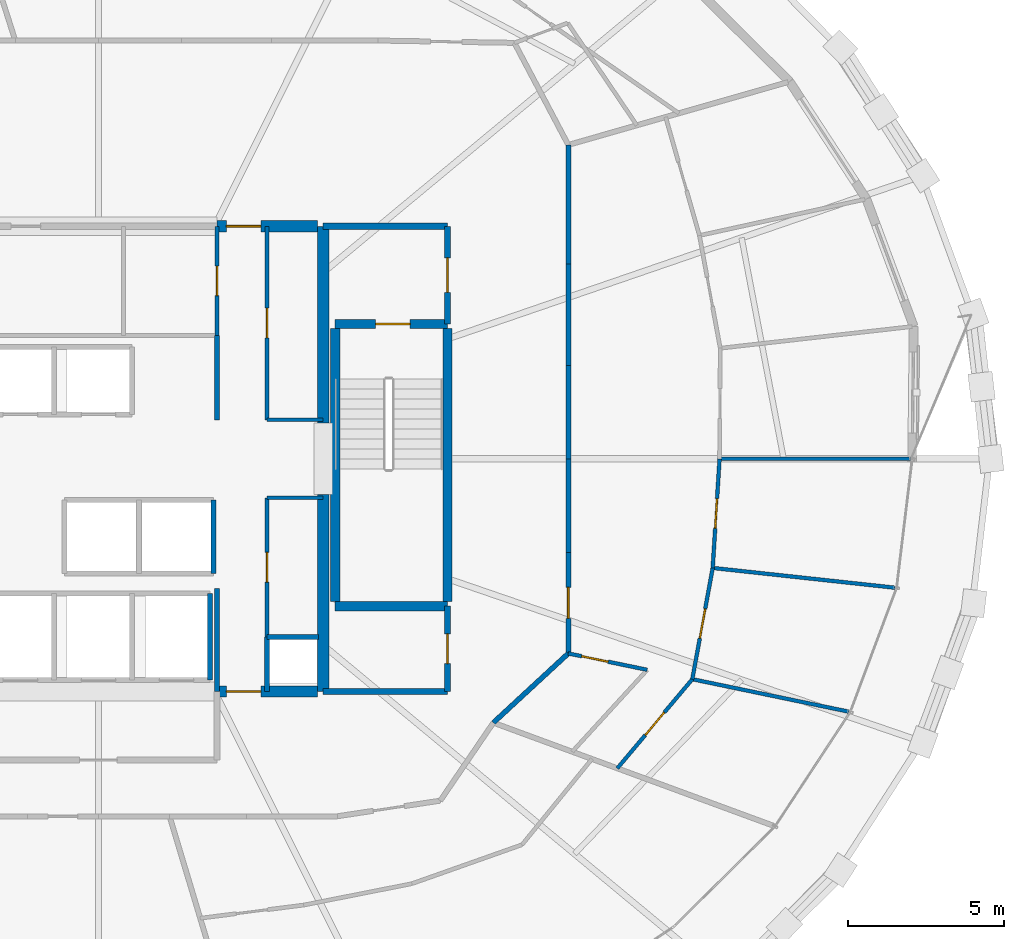
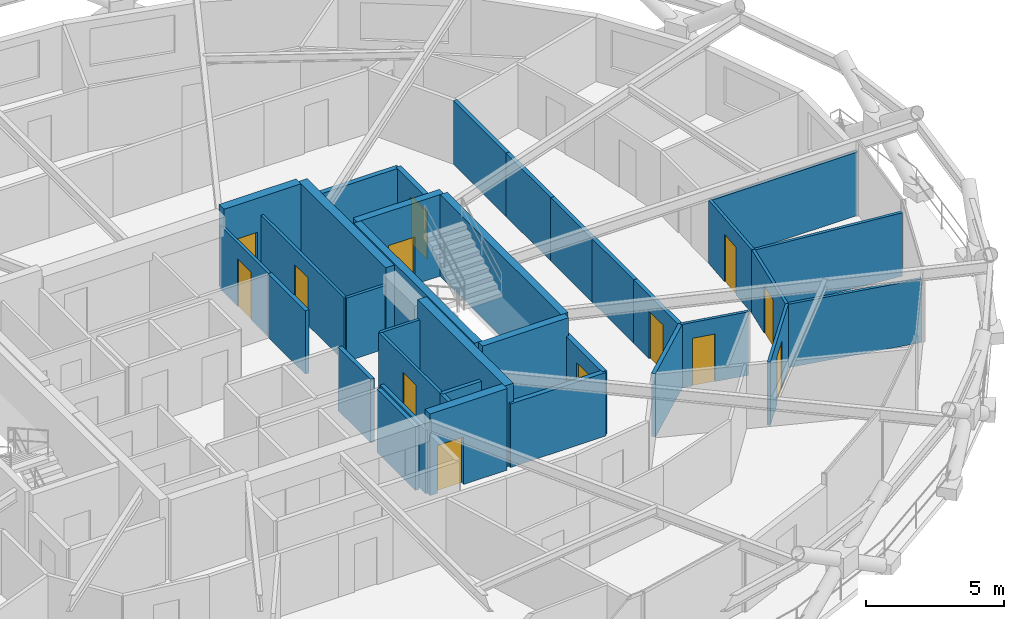
# One storey, part 16 of 21: 36 walls, 13 doors, 13 openings.
"""IFC4 building model written with IfcOpenShell, lengths in metres."""

import ifcopenshell
import ifcopenshell.guid

model = None  # the IFC model being written
_history = None  # IfcOwnerHistory: only IFC2X3 demands one
_inside = {}  # id of a spatial element -> (the spatial element, [elements in it])
_under = {}  # id of a project, library or spatial element -> (it, [spatial elements below it])
_declared = {}  # id of a project -> (the project, [libraries it declares])
_typed = {}  # id of a type object -> (the type object, [elements of that type])
_made_of = {}  # id of a material, layer set ... -> (it, [elements and type objects made of it])


def new_model(schema):
    """Start an empty IFC model of exactly this schema.

    Asked for "IFC4X3", IfcOpenShell would pick the latest addendum, in which some entities
    have other attributes; the version numbers below select the first issue.
    IFC2X3 requires an IfcOwnerHistory on every rooted entity: one is made here for all.
    """
    global model, _history
    if schema == "IFC4X3":
        model = ifcopenshell.file(schema_version=(4, 3, 0, 0))
    else:
        model = ifcopenshell.file(schema=schema)
    _inside.clear()
    _under.clear()
    _declared.clear()
    _typed.clear()
    _made_of.clear()
    _history = None
    if model.schema == "IFC2X3":
        org = make("IfcOrganization", Name="unknown")
        user = make(
            "IfcPersonAndOrganization",
            ThePerson=make("IfcPerson", FamilyName="unknown"),
            TheOrganization=org,
        )
        app = make(
            "IfcApplication",
            ApplicationDeveloper=org,
            Version="unknown",
            ApplicationFullName="unknown",
            ApplicationIdentifier="unknown",
        )
        _history = make(
            "IfcOwnerHistory",
            OwningUser=user,
            OwningApplication=app,
            ChangeAction="ADDED",
            CreationDate=0,
        )
    return model


def make(cls, **values):
    """One entity of the class cls with the attributes given. An attribute that is None is left unset."""
    return model.create_entity(
        cls, **{name: value for name, value in values.items() if value is not None}
    )


def rooted(cls, **values):
    """An entity with a GlobalId (a new one), such as an element, a storey or a relation."""
    return make(cls, GlobalId=ifcopenshell.guid.new(), OwnerHistory=_history, **values)


def si_unit(unit_type, name, prefix=None):
    """IfcSIUnit, for example si_unit("LENGTHUNIT", "METRE", prefix="MILLI")."""
    return make("IfcSIUnit", UnitType=unit_type, Prefix=prefix, Name=name)


def assignment(units):
    """IfcUnitAssignment: the units of a project."""
    return None if units is None else make("IfcUnitAssignment", Units=units)


def point(xyz):
    """IfcCartesianPoint."""
    return None if xyz is None else make("IfcCartesianPoint", Coordinates=xyz)


def direction(xyz):
    """IfcDirection."""
    return None if xyz is None else make("IfcDirection", DirectionRatios=xyz)


def frame(location, z_axis=None, x_axis=None):
    """IfcAxis2Placement3D, a coordinate frame: its origin and axes. An axis left out is left unset."""
    return make(
        "IfcAxis2Placement3D",
        Location=point(location),
        Axis=direction(z_axis),
        RefDirection=direction(x_axis),
    )


def frame_2d(location, x_axis=None):
    """IfcAxis2Placement2D, a coordinate frame in the plane: its origin and x axis."""
    return make(
        "IfcAxis2Placement2D", Location=point(location), RefDirection=direction(x_axis)
    )


def origin():
    """The frame at (0, 0, 0) with its axes left unset."""
    return frame((0.0, 0.0, 0.0))


def place(relative_to, where):
    """IfcLocalPlacement: puts the frame where relative to a parent placement (None: the world)."""
    return make(
        "IfcLocalPlacement", PlacementRelTo=relative_to, RelativePlacement=where
    )


def context(
    kind, dimensions, precision=None, world=None, true_north=None, identifier=None
):
    """IfcGeometricRepresentationContext, for example the 3D "Model" context."""
    return make(
        "IfcGeometricRepresentationContext",
        ContextIdentifier=identifier,
        ContextType=kind,
        CoordinateSpaceDimension=dimensions,
        Precision=precision,
        WorldCoordinateSystem=world,
        TrueNorth=true_north,
    )


def subcontext(parent, identifier, kind, view, scale=None):
    """IfcGeometricRepresentationSubContext, for example "Body" below "Model"."""
    return make(
        "IfcGeometricRepresentationSubContext",
        ContextIdentifier=identifier,
        ContextType=kind,
        ParentContext=parent,
        TargetScale=scale,
        TargetView=view,
    )


def project(units=None, contexts=None):
    """IfcProject with its units and contexts."""
    return rooted(
        "IfcProject",
        Name="project",
        RepresentationContexts=contexts,
        UnitsInContext=assignment(units),
    )


def spatial(cls, under=None, at=None, **own):
    """A site, building, storey or space (cls), placed at a placement, below another one or the project."""
    s = rooted(cls, ObjectPlacement=at, **own)
    if under is not None:
        _under.setdefault(under.id(), (under, []))[1].append(s)
    return s


def profile(cls, at=None, kind="AREA", **sizes):
    """A parametric profile (cls). Its sizes go by their IFC names, for example OverallWidth=200.0."""
    return make(cls, ProfileType=kind, Position=at, **sizes)


def rectangle(**sizes):
    """IfcRectangleProfileDef."""
    return profile("IfcRectangleProfileDef", **sizes)


def extrude(swept, where, along, depth):
    """IfcExtrudedAreaSolid: the profile swept, set in the frame where, extruded along a direction by depth."""
    return make(
        "IfcExtrudedAreaSolid",
        SweptArea=swept,
        Position=where,
        ExtrudedDirection=direction(along),
        Depth=depth,
    )


def shape(context_of_items, identifier, shape_type, items):
    """IfcShapeRepresentation: the items that make up one representation, for example the "Body"."""
    return make(
        "IfcShapeRepresentation",
        ContextOfItems=context_of_items,
        RepresentationIdentifier=identifier,
        RepresentationType=shape_type,
        Items=items,
    )


def material(Name=None, Category=None):
    """IfcMaterial."""
    return make("IfcMaterial", Name=Name, Category=Category)


def layer(
    of_material, thickness, ventilated=None, Name=None, Category=None, Priority=None
):
    """IfcMaterialLayer: one layer of a wall or slab, of a material (None: an air gap)."""
    return make(
        "IfcMaterialLayer",
        Material=of_material,
        LayerThickness=thickness,
        IsVentilated=ventilated,
        Name=Name,
        Category=Category,
        Priority=Priority,
    )


def layer_set(layers, Name=None):
    """IfcMaterialLayerSet."""
    return make("IfcMaterialLayerSet", MaterialLayers=layers, LayerSetName=Name)


def made_of(thing, what):
    """Note that an element or type object is made of a material, layer set ...; save() writes the relation."""
    if what is not None:
        _made_of.setdefault(what.id(), (what, []))[1].append(thing)
    return thing


def type_object(cls, material=None, **own):
    """A type object (cls), such as IfcWallType, which elements share."""
    return made_of(rooted(cls, **own), material)


def element(
    cls,
    number,
    at=None,
    inside=None,
    cuts=None,
    type_object=None,
    material=None,
    context=None,
    identifier="Body",
    shape_type=None,
    held_by="IfcProductDefinitionShape",
    body=None,
    shapes=None,
    **own,
):
    """One element of the class cls, such as IfcWall. Its Tag is "e" and its number.

    at: its placement. inside: the storey or other place that contains it. cuts: it is an
    opening in that element (IfcRelVoidsElement). A single representation is given by context,
    identifier, shape_type and body (its items); several are given by shapes. held_by: the class
    of the entity that holds the representations. save() writes the other relations.
    """
    e = rooted(cls, Tag="e%d" % number, ObjectPlacement=at, **own)
    if body is not None:
        shapes = [shape(context, identifier, shape_type, body)]
    if shapes is not None:
        e.Representation = make(held_by, Representations=shapes)
    if inside is not None:
        _inside.setdefault(inside.id(), (inside, []))[1].append(e)
    if cuts is not None:
        rooted(
            "IfcRelVoidsElement", RelatingBuildingElement=cuts, RelatedOpeningElement=e
        )
    if type_object is not None:
        _typed.setdefault(type_object.id(), (type_object, []))[1].append(e)
    return made_of(e, material)


def fill(opening, filler):
    """IfcRelFillsElement: the door or window that sits in an opening."""
    return rooted(
        "IfcRelFillsElement",
        RelatingOpeningElement=opening,
        RelatedBuildingElement=filler,
    )


def aggregate(whole, parts):
    """IfcRelAggregates: a whole, such as a stair, and the parts it consists of."""
    return rooted("IfcRelAggregates", RelatingObject=whole, RelatedObjects=parts)


def save(model, path):
    """Write the relations noted so far, then the file.

    IfcRelAggregates (storeys below a building ...), IfcRelContainedInSpatialStructure (elements
    in a storey), IfcRelDefinesByType, IfcRelAssociatesMaterial and IfcRelDeclares: one each for
    every whole, place, type object, material and project.
    """
    for whole, parts in _under.values():
        aggregate(whole, parts)
    for where, things in _inside.values():
        rooted(
            "IfcRelContainedInSpatialStructure",
            RelatedElements=things,
            RelatingStructure=where,
        )
    for kind, things in _typed.values():
        rooted("IfcRelDefinesByType", RelatedObjects=things, RelatingType=kind)
    for what, things in _made_of.values():
        rooted("IfcRelAssociatesMaterial", RelatedObjects=things, RelatingMaterial=what)
    for by, libraries in _declared.values():
        rooted("IfcRelDeclares", RelatingContext=by, RelatedDefinitions=libraries)
    model.write(path)


model = new_model("IFC4")

# Units and contexts
model_context = context("Model", 3, precision=1e-05, world=origin(), true_north=direction((0.0, 1.0)))
body_context = subcontext(model_context, "Body", "Model", "MODEL_VIEW")
ifc_project = project(units=[si_unit("LENGTHUNIT", "METRE"), si_unit("AREAUNIT", "SQUARE_METRE"), si_unit("VOLUMEUNIT", "CUBIC_METRE"), si_unit("PLANEANGLEUNIT", "RADIAN"), si_unit("MASSUNIT", "GRAM", prefix="KILO")], contexts=[model_context])

# Site, building, storey
site_placement = place(None, origin())
site = spatial("IfcSite", under=ifc_project, at=site_placement, CompositionType="ELEMENT")
building_placement = place(site_placement, origin())
building = spatial("IfcBuilding", under=site, at=building_placement, Name="Veldorina Hangang Commons", CompositionType="ELEMENT")
storey_placement = place(building_placement, frame((0.0, 0.0, 128.0)))
storey = spatial("IfcBuildingStorey", under=building, at=storey_placement, Name="L32", CompositionType="ELEMENT", Elevation=128.0)

# Walls
ifc_material_1 = material(Name="Concrete C60/75", Category="concrete")
ifc_layer_1 = layer(ifc_material_1, 0.360107421875)
ifc_layer_set_1 = layer_set([ifc_layer_1], Name="Concrete C60/75")
wall_type_1 = type_object("IfcWallType", Name="CW-RC360-C60", PredefinedType="SHEAR", material=ifc_layer_set_1)
for number, where, z_axis, x_axis, name in (
    (1, (39.199951171875, 16.550048828125, 0.0), (0.0, 0.0, 1.0), (0.0, 1.0, 0.0), "L32 E south core shear wall"),
    (2, (39.199951171875, 25.14990234375, 0.0), (0.0, 0.0, 1.0), (0.0, 1.0, 0.0), "L32 E north core shear wall"),
):
    element("IfcWall", number, at=place(storey_placement, frame(where, z_axis=z_axis, x_axis=x_axis)), inside=storey, type_object=wall_type_1, Name=name, PredefinedType="SHEAR", context=body_context, shape_type="SweptSolid", body=[
        extrude(rectangle(XDim=6.300048828125, YDim=0.360107421875, at=frame_2d((3.14990234375, 0.0))), origin(), (0.0, 0.0, 1.0), 3.60009765625),
    ])

# Wall, opening, door
wall_1_placement = place(storey_placement, frame((35.800048828125, 16.550048828125, 0.0), z_axis=(0.0, 0.0, 1.0), x_axis=(1.0, 0.0, 0.0)))
wall_1 = element("IfcWall", 3, at=wall_1_placement, inside=storey, type_object=wall_type_1, Name="L32 south-east core shear wall", PredefinedType="SHEAR", context=body_context, shape_type="SweptSolid", body=[
    extrude(rectangle(XDim=3.219970703125, YDim=0.360107421875, at=frame_2d((1.60986328125, 0.0))), origin(), (0.0, 0.0, 1.0), 3.60009765625),
])
opening_1_placement = place(wall_1_placement, frame((0.300048828125, 0.0, 0.0)))
opening_1 = element("IfcOpeningElement", 4, at=opening_1_placement, cuts=wall_1, Name="Opening D-08", PredefinedType="OPENING", context=body_context, shape_type="SweptSolid", body=[
    extrude(rectangle(XDim=1.10009765625, YDim=2.10009765625, at=frame_2d((0.550048828125, 1.050048828125))), frame((0.0, 0.18994140625, 0.0), z_axis=(0.0, -1.0, 0.0), x_axis=(1.0, 0.0, 0.0)), (0.0, 0.0, 1.0), 0.380126953125),
])
ifc_material_2 = material(Name="Steel Fire-Rated Smoke Seal", Category="steel")
door_type_1 = type_object("IfcDoorType", Name="DR-FIRE-1100", OperationType="SINGLE_SWING_RIGHT", PredefinedType="DOOR", material=ifc_material_2)
door_1_placement = place(opening_1_placement, origin())
door_1 = element("IfcDoor", 5, at=door_1_placement, inside=storey, type_object=door_type_1, Name="L32 central lift lobby south corridor door", OperationType="SINGLE_SWING_RIGHT", OverallHeight=2.10009765625, OverallWidth=1.10009765625, PredefinedType="DOOR", context=body_context, shape_type="SweptSolid", body=[
    extrude(rectangle(XDim=1.10009765625, YDim=2.10009765625, at=frame_2d((0.550048828125, 1.050048828125))), frame((0.0, 0.02490234375, 0.0), z_axis=(0.0, -1.0, 0.0), x_axis=(1.0, 0.0, 0.0)), (0.0, 0.0, 1.0), 0.050048828125),
])
fill(opening_1, door_1)

wall_2_placement = place(storey_placement, frame((35.800048828125, 31.449951171875, 0.0), z_axis=(0.0, 0.0, 1.0), x_axis=(1.0, 0.0, 0.0)))
wall_2 = element("IfcWall", 6, at=wall_2_placement, inside=storey, type_object=wall_type_1, Name="L32 north-east core shear wall", PredefinedType="SHEAR", context=body_context, shape_type="SweptSolid", body=[
    extrude(rectangle(XDim=3.219970703125, YDim=0.360107421875, at=frame_2d((1.60986328125, 0.0))), origin(), (0.0, 0.0, 1.0), 3.60009765625),
])
opening_2_placement = place(wall_2_placement, frame((0.300048828125, 0.0, 0.0)))
opening_2 = element("IfcOpeningElement", 7, at=opening_2_placement, cuts=wall_2, Name="Opening D-08", PredefinedType="OPENING", context=body_context, shape_type="SweptSolid", body=[
    extrude(rectangle(XDim=1.10009765625, YDim=2.10009765625, at=frame_2d((0.550048828125, 1.050048828125))), frame((0.0, 0.18994140625, 0.0), z_axis=(0.0, -1.0, 0.0), x_axis=(1.0, 0.0, 0.0)), (0.0, 0.0, 1.0), 0.380126953125),
])
door_2_placement = place(opening_2_placement, origin())
door_2 = element("IfcDoor", 8, at=door_2_placement, inside=storey, type_object=door_type_1, Name="L32 central lift lobby north corridor door", OperationType="SINGLE_SWING_LEFT", OverallHeight=2.10009765625, OverallWidth=1.10009765625, PredefinedType="DOOR", context=body_context, shape_type="SweptSolid", body=[
    extrude(rectangle(XDim=1.10009765625, YDim=2.10009765625, at=frame_2d((0.550048828125, 1.050048828125))), frame((0.0, 0.02490234375, 0.0), z_axis=(0.0, -1.0, 0.0), x_axis=(1.0, 0.0, 0.0)), (0.0, 0.0, 1.0), 0.050048828125),
])
fill(opening_2, door_2)

# Walls
ifc_material_3 = material(Name="Concrete C50/60", Category="concrete")
ifc_layer_2 = layer(ifc_material_3, 0.300048828125)
ifc_layer_set_2 = layer_set([ifc_layer_2], Name="Concrete C50/60")
wall_type_2 = type_object("IfcWallType", Name="SW-STAIR-300", PredefinedType="SHEAR", material=ifc_layer_set_2)
for number, where, z_axis, x_axis, name in (
    (9, (43.179931640625, 19.429931640625, 0.0), (0.0, 0.0, 1.0), (0.0, 1.0, 0.0), "L32 ST2 outer stair shear wall"),
    (10, (39.580078125, 19.429931640625, 0.0), (0.0, 0.0, 1.0), (0.0, 1.0, 0.0), "L32 ST2 inner stair shear wall"),
):
    element("IfcWall", number, at=place(storey_placement, frame(where, z_axis=z_axis, x_axis=x_axis)), inside=storey, type_object=wall_type_2, Name=name, PredefinedType="SHEAR", context=body_context, shape_type="SweptSolid", body=[
        extrude(rectangle(XDim=8.739990234375, YDim=0.300048828125, at=frame_2d((4.3701171875, 0.0))), origin(), (0.0, 0.0, 1.0), 3.60009765625),
    ])
wall_3_placement = place(storey_placement, frame((39.580078125, 19.280029296875, 0.0), z_axis=(0.0, 0.0, 1.0), x_axis=(1.0, 0.0, 0.0)))
element("IfcWall", 11, at=wall_3_placement, inside=storey, type_object=wall_type_2, Name="L32 ST2 south stair shear wall", PredefinedType="SHEAR", context=body_context, shape_type="SweptSolid", body=[
    extrude(rectangle(XDim=3.599853515625, YDim=0.300048828125, at=frame_2d((1.7998046875, 0.0))), origin(), (0.0, 0.0, 1.0), 3.60009765625),
])

# Wall, opening, door
wall_4_placement = place(storey_placement, frame((39.580078125, 28.320068359375, 0.0), z_axis=(0.0, 0.0, 1.0), x_axis=(1.0, 0.0, 0.0)))
wall_4 = element("IfcWall", 12, at=wall_4_placement, inside=storey, type_object=wall_type_2, Name="L32 ST2 north stair shear wall", PredefinedType="SHEAR", context=body_context, shape_type="SweptSolid", body=[
    extrude(rectangle(XDim=3.599853515625, YDim=0.300048828125, at=frame_2d((1.7998046875, 0.0))), origin(), (0.0, 0.0, 1.0), 3.60009765625),
])
opening_3_placement = place(wall_4_placement, frame((1.300048828125, 0.0, 0.0)))
opening_3 = element("IfcOpeningElement", 13, at=opening_3_placement, cuts=wall_4, Name="Opening D-08", PredefinedType="OPENING", context=body_context, shape_type="SweptSolid", body=[
    extrude(rectangle(XDim=1.10009765625, YDim=2.10009765625, at=frame_2d((0.550048828125, 1.050048828125))), frame((0.0, 0.16015625, 0.0), z_axis=(0.0, -1.0, 0.0), x_axis=(1.0, 0.0, 0.0)), (0.0, 0.0, 1.0), 0.320068359375),
])
door_3_placement = place(opening_3_placement, origin())
door_3 = element("IfcDoor", 14, at=door_3_placement, inside=storey, type_object=door_type_1, Name="L32 Special Escape Stair ST-2 door", OperationType="SINGLE_SWING_RIGHT", OverallHeight=2.10009765625, OverallWidth=1.10009765625, PredefinedType="DOOR", context=body_context, shape_type="SweptSolid", body=[
    extrude(rectangle(XDim=1.10009765625, YDim=2.10009765625, at=frame_2d((0.550048828125, 1.050048828125))), frame((0.0, 0.02490234375, 0.0), z_axis=(0.0, -1.0, 0.0), x_axis=(1.0, 0.0, 0.0)), (0.0, 0.0, 1.0), 0.050048828125),
])
fill(opening_3, door_3)

# Walls
ifc_material_4 = material(Name="Gypsum Fire-Rated Twin Stud Wall", Category="gypsum")
ifc_layer_3 = layer(ifc_material_4, 0.159912109375)
ifc_layer_set_3 = layer_set([ifc_layer_3], Name="Gypsum Fire-Rated Twin Stud Wall")
wall_type_3 = type_object("IfcWallType", Name="WL-FIRE-160", PredefinedType="SOLIDWALL", material=ifc_layer_set_3)
wall_5_placement = place(storey_placement, frame((35.800048828125, 16.550048828125, 0.0), z_axis=(0.0, 0.0, 1.0), x_axis=(0.0, 1.0, 0.0)))
element("IfcWall", 15, at=wall_5_placement, inside=storey, type_object=wall_type_3, Name="L32 Lift passage SW wall 009", PredefinedType="SOLIDWALL", context=body_context, shape_type="SweptSolid", body=[
    extrude(rectangle(XDim=3.300048828125, YDim=0.159912109375, at=frame_2d((1.64990234375, 0.0))), origin(), (0.0, 0.0, 1.0), 2.800048828125),
])
wall_6_placement = place(storey_placement, frame((37.39990234375, 16.550048828125, 0.0), z_axis=(0.0, 0.0, 1.0), x_axis=(0.0, 1.0, 0.0)))
element("IfcWall", 16, at=wall_6_placement, inside=storey, type_object=wall_type_3, Name="L32 Lift passage SE stub 010", PredefinedType="SOLIDWALL", context=body_context, shape_type="SweptSolid", body=[
    extrude(rectangle(XDim=1.75, YDim=0.159912109375, at=frame_2d((0.875, 0.0))), origin(), (0.0, 0.0, 1.0), 2.800048828125),
])
wall_7_placement = place(storey_placement, frame((35.800048828125, 25.25, 0.0), z_axis=(0.0, 0.0, 1.0), x_axis=(0.0, 1.0, 0.0)))
element("IfcWall", 17, at=wall_7_placement, inside=storey, type_object=wall_type_3, Name="L32 Lift passage NW lower wall 011", PredefinedType="SOLIDWALL", context=body_context, shape_type="SweptSolid", body=[
    extrude(rectangle(XDim=2.699951171875, YDim=0.159912109375, at=frame_2d((1.35009765625, 0.0))), origin(), (0.0, 0.0, 1.0), 2.800048828125),
])
wall_8_placement = place(storey_placement, frame((35.679931640625, 20.320068359375, 0.0), z_axis=(0.0, 0.0, 1.0), x_axis=(0.0, 1.0, 0.0)))
element("IfcWall", 18, at=wall_8_placement, inside=storey, type_object=wall_type_3, Name="L32 SL-2 east shaft wall 024", PredefinedType="SOLIDWALL", context=body_context, shape_type="SweptSolid", body=[
    extrude(rectangle(XDim=2.35986328125, YDim=0.159912109375, at=frame_2d((1.179931640625, 0.0))), origin(), (0.0, 0.0, 1.0), 2.800048828125),
])
wall_9_placement = place(storey_placement, frame((35.580078125, 16.919921875, 0.0), z_axis=(0.0, 0.0, 1.0), x_axis=(0.0, 1.0, 0.0)))
element("IfcWall", 19, at=wall_9_placement, inside=storey, type_object=wall_type_3, Name="L32 EVL-1 east shaft wall 030", PredefinedType="SOLIDWALL", context=body_context, shape_type="SweptSolid", body=[
    extrude(rectangle(XDim=2.760009765625, YDim=0.159912109375, at=frame_2d((1.3798828125, 0.0))), origin(), (0.0, 0.0, 1.0), 2.800048828125),
])
wall_10_placement = place(storey_placement, frame((37.39990234375, 18.300048828125, 0.0), z_axis=(0.0, 0.0, 1.0), x_axis=(1.0, 0.0, 0.0)))
element("IfcWall", 20, at=wall_10_placement, inside=storey, type_object=wall_type_3, Name="L32 Plumbing riser wall 037", PredefinedType="SOLIDWALL", context=body_context, shape_type="SweptSolid", body=[
    extrude(rectangle(XDim=1.650146484375, YDim=0.159912109375, at=frame_2d((0.8251953125, 0.0))), origin(), (0.0, 0.0, 1.0), 2.800048828125),
])
wall_11_placement = place(storey_placement, frame((47.050048828125, 24.0, 0.0), z_axis=(0.0, 0.0, 1.0), x_axis=(0.0, 1.0, 0.0)))
element("IfcWall", 21, at=wall_11_placement, inside=storey, type_object=wall_type_3, Name="L32 U-corridor outer wall 00 048", PredefinedType="SOLIDWALL", context=body_context, shape_type="SweptSolid", body=[
    extrude(rectangle(XDim=2.99365234375, YDim=0.159912109375, at=frame_2d((1.496826171875, 0.0))), origin(), (0.0, 0.0, 1.0), 2.800048828125),
])
wall_12_placement = place(storey_placement, frame((47.050048828125, 26.99365234375, 0.0), z_axis=(0.0, 0.0, 1.0), x_axis=(0.0, 1.0, 0.0)))
element("IfcWall", 22, at=wall_12_placement, inside=storey, type_object=wall_type_3, Name="L32 U-corridor outer wall 01 049", PredefinedType="SOLIDWALL", context=body_context, shape_type="SweptSolid", body=[
    extrude(rectangle(XDim=3.240234375, YDim=0.159912109375, at=frame_2d((1.6201171875, 0.0))), origin(), (0.0, 0.0, 1.0), 2.800048828125),
])
wall_13_placement = place(storey_placement, frame((47.050048828125, 30.23388671875, 0.0), z_axis=(0.0, 0.0, 1.0), x_axis=(0.0, 1.0, 0.0)))
element("IfcWall", 23, at=wall_13_placement, inside=storey, type_object=wall_type_3, Name="L32 U-corridor outer wall 02 050", PredefinedType="SOLIDWALL", context=body_context, shape_type="SweptSolid", body=[
    extrude(rectangle(XDim=3.822265625, YDim=0.159912109375, at=frame_2d((1.9111328125, 0.0))), origin(), (0.0, 0.0, 1.0), 2.800048828125),
])
wall_14_placement = place(storey_placement, frame((44.64990234375, 15.547607421875, 0.0), z_axis=(0.0, 0.0, 1.0), x_axis=(0.734347936521, 0.678773237633, 0.0)))
element("IfcWall", 24, at=wall_14_placement, inside=storey, type_object=wall_type_3, Name="L32 U-corridor outer wall 29 077", PredefinedType="SOLIDWALL", context=body_context, shape_type="SweptSolid", body=[
    extrude(rectangle(XDim=3.268310546875, YDim=0.159912109375, at=frame_2d((1.63427734375, 0.0))), origin(), (0.0, 0.0, 1.0), 2.800048828125),
])

# Wall, opening, door
wall_15_placement = place(storey_placement, frame((47.050048828125, 17.76611328125, 0.0), z_axis=(0.0, 0.0, 1.0), x_axis=(0.0, 1.0, 0.0)))
wall_15 = element("IfcWall", 25, at=wall_15_placement, inside=storey, type_object=wall_type_3, Name="L32 U-corridor outer wall 30 078", PredefinedType="SOLIDWALL", context=body_context, shape_type="SweptSolid", body=[
    extrude(rectangle(XDim=3.240234375, YDim=0.159912109375, at=frame_2d((1.6201171875, 0.0))), origin(), (0.0, 0.0, 1.0), 2.800048828125),
])
opening_4_placement = place(wall_15_placement, frame((1.1201171875, 0.0, 0.0)))
opening_4 = element("IfcOpeningElement", 26, at=opening_4_placement, cuts=wall_15, Name="Opening D-06", PredefinedType="OPENING", context=body_context, shape_type="SweptSolid", body=[
    extrude(rectangle(XDim=1.0, YDim=2.10009765625, at=frame_2d((0.5, 1.050048828125))), frame((0.0, 0.08984375, 0.0), z_axis=(0.0, -1.0, 0.0), x_axis=(1.0, 0.0, 0.0)), (0.0, 0.0, 1.0), 0.179931640625),
])
ifc_material_5 = material(Name="Timber Fire-Rated Entrance Core", Category="wood")
door_type_2 = type_object("IfcDoorType", Name="DR-UNIT-1000", OperationType="SINGLE_SWING_LEFT", PredefinedType="DOOR", material=ifc_material_5)
door_4_placement = place(opening_4_placement, origin())
door_4 = element("IfcDoor", 27, at=door_4_placement, inside=storey, type_object=door_type_2, Name="L32 Cluster 2 entrance door 023", OperationType="SINGLE_SWING_LEFT", OverallHeight=2.10009765625, OverallWidth=1.0, PredefinedType="DOOR", context=body_context, shape_type="SweptSolid", body=[
    extrude(rectangle(XDim=1.0, YDim=2.10009765625, at=frame_2d((0.5, 1.050048828125))), frame((0.0, 0.02490234375, 0.0), z_axis=(0.0, -1.0, 0.0), x_axis=(1.0, 0.0, 0.0)), (0.0, 0.0, 1.0), 0.050048828125),
])
fill(opening_4, door_4)

# Wall
wall_16_placement = place(storey_placement, frame((47.050048828125, 21.00634765625, 0.0), z_axis=(0.0, 0.0, 1.0), x_axis=(0.0, 1.0, 0.0)))
element("IfcWall", 28, at=wall_16_placement, inside=storey, type_object=wall_type_3, Name="L32 U-corridor outer wall 31 079", PredefinedType="SOLIDWALL", context=body_context, shape_type="SweptSolid", body=[
    extrude(rectangle(XDim=2.99365234375, YDim=0.159912109375, at=frame_2d((1.496826171875, 0.0))), origin(), (0.0, 0.0, 1.0), 2.800048828125),
])

# Wall, opening, door
ifc_material_6 = material(Name="Concrete Blockwork Fire Wall C30/37", Category="masonry")
ifc_layer_4 = layer(ifc_material_6, 0.199951171875)
ifc_layer_set_4 = layer_set([ifc_layer_4], Name="Concrete Blockwork Fire Wall C30/37")
wall_type_4 = type_object("IfcWallType", Name="WL-FIRE-200", PredefinedType="SOLIDWALL", material=ifc_layer_set_4)
wall_17_placement = place(storey_placement, frame((43.179931640625, 28.320068359375, 0.0), z_axis=(0.0, 0.0, 1.0), x_axis=(0.0, 1.0, 0.0)))
wall_17 = element("IfcWall", 29, at=wall_17_placement, inside=storey, type_object=wall_type_4, Name="L32 East vestibule outer wall 003", PredefinedType="SOLIDWALL", context=body_context, shape_type="SweptSolid", body=[
    extrude(rectangle(XDim=3.1298828125, YDim=0.199951171875, at=frame_2d((1.56494140625, 0.0))), origin(), (0.0, 0.0, 1.0), 2.800048828125),
])
opening_5_placement = place(wall_17_placement, frame((1.014892578125, 0.0, 0.0)))
opening_5 = element("IfcOpeningElement", 30, at=opening_5_placement, cuts=wall_17, Name="Opening D-08", PredefinedType="OPENING", context=body_context, shape_type="SweptSolid", body=[
    extrude(rectangle(XDim=1.10009765625, YDim=2.10009765625, at=frame_2d((0.550048828125, 1.050048828125))), frame((0.0, 0.10986328125, 0.0), z_axis=(0.0, -1.0, 0.0), x_axis=(1.0, 0.0, 0.0)), (0.0, 0.0, 1.0), 0.219970703125),
])
door_5_placement = place(opening_5_placement, origin())
door_5 = element("IfcDoor", 31, at=door_5_placement, inside=storey, type_object=door_type_1, Name="L32 East vestibule east door 002", OperationType="SINGLE_SWING_RIGHT", OverallHeight=2.10009765625, OverallWidth=1.10009765625, PredefinedType="DOOR", context=body_context, shape_type="SweptSolid", body=[
    extrude(rectangle(XDim=1.10009765625, YDim=2.10009765625, at=frame_2d((0.550048828125, 1.050048828125))), frame((0.0, 0.02490234375, 0.0), z_axis=(0.0, -1.0, 0.0), x_axis=(1.0, 0.0, 0.0)), (0.0, 0.0, 1.0), 0.050048828125),
])
fill(opening_5, door_5)

# Wall
wall_18_placement = place(storey_placement, frame((39.199951171875, 31.449951171875, 0.0), z_axis=(0.0, 0.0, 1.0), x_axis=(1.0, 0.0, 0.0)))
element("IfcWall", 32, at=wall_18_placement, inside=storey, type_object=wall_type_4, Name="L32 East vestibule north wall 004", PredefinedType="SOLIDWALL", context=body_context, shape_type="SweptSolid", body=[
    extrude(rectangle(XDim=3.97998046875, YDim=0.199951171875, at=frame_2d((1.989990234375, 0.0))), origin(), (0.0, 0.0, 1.0), 2.800048828125),
])

# Wall, opening, door
wall_19_placement = place(storey_placement, frame((43.179931640625, 16.550048828125, 0.0), z_axis=(0.0, 0.0, 1.0), x_axis=(0.0, 1.0, 0.0)))
wall_19 = element("IfcWall", 33, at=wall_19_placement, inside=storey, type_object=wall_type_4, Name="L32 SE core room outer wall 007", PredefinedType="SOLIDWALL", context=body_context, shape_type="SweptSolid", body=[
    extrude(rectangle(XDim=2.72998046875, YDim=0.199951171875, at=frame_2d((1.364990234375, 0.0))), origin(), (0.0, 0.0, 1.0), 2.800048828125),
])
opening_6_placement = place(wall_19_placement, frame((0.889892578125, 0.0, 0.0)))
opening_6 = element("IfcOpeningElement", 34, at=opening_6_placement, cuts=wall_19, Name="Opening D-02", PredefinedType="OPENING", context=body_context, shape_type="SweptSolid", body=[
    extrude(rectangle(XDim=0.949951171875, YDim=2.10009765625, at=frame_2d((0.47509765625, 1.050048828125))), frame((0.0, 0.10986328125, 0.0), z_axis=(0.0, -1.0, 0.0), x_axis=(1.0, 0.0, 0.0)), (0.0, 0.0, 1.0), 0.219970703125),
])
ifc_material_7 = material(Name="Timber Solid Core Acoustic", Category="wood")
door_type_3 = type_object("IfcDoorType", Name="DR-INT-950", OperationType="SINGLE_SWING_LEFT", PredefinedType="DOOR", material=ifc_material_7)
door_6_placement = place(opening_6_placement, origin())
door_6 = element("IfcDoor", 35, at=door_6_placement, inside=storey, type_object=door_type_3, Name="L32 SE core WC door 004", OperationType="SINGLE_SWING_RIGHT", OverallHeight=2.10009765625, OverallWidth=0.949951171875, PredefinedType="DOOR", context=body_context, shape_type="SweptSolid", body=[
    extrude(rectangle(XDim=0.949951171875, YDim=2.10009765625, at=frame_2d((0.47509765625, 1.050048828125))), frame((0.0, 0.02490234375, 0.0), z_axis=(0.0, -1.0, 0.0), x_axis=(1.0, 0.0, 0.0)), (0.0, 0.0, 1.0), 0.050048828125),
])
fill(opening_6, door_6)

# Wall
wall_20_placement = place(storey_placement, frame((39.199951171875, 16.550048828125, 0.0), z_axis=(0.0, 0.0, 1.0), x_axis=(1.0, 0.0, 0.0)))
element("IfcWall", 36, at=wall_20_placement, inside=storey, type_object=wall_type_4, Name="L32 SE core room south wall 008", PredefinedType="SOLIDWALL", context=body_context, shape_type="SweptSolid", body=[
    extrude(rectangle(XDim=3.97998046875, YDim=0.199951171875, at=frame_2d((1.989990234375, 0.0))), origin(), (0.0, 0.0, 1.0), 2.800048828125),
])

# Wall, opening, door
ifc_material_8 = material(Name="Gypsum Acoustic Stud Partition", Category="gypsum")
ifc_layer_5 = layer(ifc_material_8, 0.1201171875)
ifc_layer_set_5 = layer_set([ifc_layer_5], Name="Gypsum Acoustic Stud Partition")
wall_type_5 = type_object("IfcWallType", Name="WL-PART-120", PredefinedType="PARTITIONING", material=ifc_layer_set_5)
wall_21_placement = place(storey_placement, frame((35.800048828125, 27.949951171875, 0.0), z_axis=(0.0, 0.0, 1.0), x_axis=(0.0, 1.0, 0.0)))
wall_21 = element("IfcWall", 37, at=wall_21_placement, inside=storey, type_object=wall_type_5, Name="L32 Merged north east wall 033", PredefinedType="PARTITIONING", context=body_context, shape_type="SweptSolid", body=[
    extrude(rectangle(XDim=3.5, YDim=0.1201171875, at=frame_2d((1.75, 0.0))), origin(), (0.0, 0.0, 1.0), 2.800048828125),
])
opening_7_placement = place(wall_21_placement, frame((1.27490234375, 0.0, 0.0)))
opening_7 = element("IfcOpeningElement", 38, at=opening_7_placement, cuts=wall_21, Name="Opening D-02", PredefinedType="OPENING", context=body_context, shape_type="SweptSolid", body=[
    extrude(rectangle(XDim=0.949951171875, YDim=2.10009765625, at=frame_2d((0.47509765625, 1.050048828125))), frame((0.0, 0.070068359375, 0.0), z_axis=(0.0, -1.0, 0.0), x_axis=(1.0, 0.0, 0.0)), (0.0, 0.0, 1.0), 0.14013671875),
])
door_7_placement = place(opening_7_placement, origin())
door_7 = element("IfcDoor", 39, at=door_7_placement, inside=storey, type_object=door_type_3, Name="L32 Core linen store door 012", OperationType="SINGLE_SWING_RIGHT", OverallHeight=2.10009765625, OverallWidth=0.949951171875, PredefinedType="DOOR", context=body_context, shape_type="SweptSolid", body=[
    extrude(rectangle(XDim=0.949951171875, YDim=2.10009765625, at=frame_2d((0.47509765625, 1.050048828125))), frame((0.0, 0.02490234375, 0.0), z_axis=(0.0, -1.0, 0.0), x_axis=(1.0, 0.0, 0.0)), (0.0, 0.0, 1.0), 0.050048828125),
])
fill(opening_7, door_7)

wall_22_placement = place(storey_placement, frame((37.39990234375, 25.25, 0.0), z_axis=(0.0, 0.0, 1.0), x_axis=(0.0, 1.0, 0.0)))
wall_22 = element("IfcWall", 40, at=wall_22_placement, inside=storey, type_object=wall_type_5, Name="L32 NE strip lobby wall 041", PredefinedType="PARTITIONING", context=body_context, shape_type="SweptSolid", body=[
    extrude(rectangle(XDim=6.199951171875, YDim=0.1201171875, at=frame_2d((3.10009765625, 0.0))), origin(), (0.0, 0.0, 1.0), 2.800048828125),
])
opening_8_placement = place(wall_22_placement, frame((2.625, 0.0, 0.0)))
opening_8 = element("IfcOpeningElement", 41, at=opening_8_placement, cuts=wall_22, Name="Opening D-02", PredefinedType="OPENING", context=body_context, shape_type="SweptSolid", body=[
    extrude(rectangle(XDim=0.949951171875, YDim=2.10009765625, at=frame_2d((0.47509765625, 1.050048828125))), frame((0.0, 0.070068359375, 0.0), z_axis=(0.0, -1.0, 0.0), x_axis=(1.0, 0.0, 0.0)), (0.0, 0.0, 1.0), 0.14013671875),
])
door_8_placement = place(opening_8_placement, origin())
door_8 = element("IfcDoor", 42, at=door_8_placement, inside=storey, type_object=door_type_3, Name="L32 Switchboard door 018", OperationType="SINGLE_SWING_RIGHT", OverallHeight=2.10009765625, OverallWidth=0.949951171875, PredefinedType="DOOR", context=body_context, shape_type="SweptSolid", body=[
    extrude(rectangle(XDim=0.949951171875, YDim=2.10009765625, at=frame_2d((0.47509765625, 1.050048828125))), frame((0.0, 0.02490234375, 0.0), z_axis=(0.0, -1.0, 0.0), x_axis=(1.0, 0.0, 0.0)), (0.0, 0.0, 1.0), 0.050048828125),
])
fill(opening_8, door_8)

# Wall
wall_23_placement = place(storey_placement, frame((37.39990234375, 25.25, 0.0), z_axis=(0.0, 0.0, 1.0), x_axis=(1.0, 0.0, 0.0)))
element("IfcWall", 43, at=wall_23_placement, inside=storey, type_object=wall_type_5, Name="L32 NE strip south return wall 042", PredefinedType="PARTITIONING", context=body_context, shape_type="SweptSolid", body=[
    extrude(rectangle(XDim=1.800048828125, YDim=0.1201171875, at=frame_2d((0.89990234375, 0.0))), origin(), (0.0, 0.0, 1.0), 2.800048828125),
])

# Wall, opening, door
wall_24_placement = place(storey_placement, frame((37.39990234375, 18.300048828125, 0.0), z_axis=(0.0, 0.0, 1.0), x_axis=(0.0, 1.0, 0.0)))
wall_24 = element("IfcWall", 44, at=wall_24_placement, inside=storey, type_object=wall_type_5, Name="L32 SE strip lobby wall 043", PredefinedType="PARTITIONING", context=body_context, shape_type="SweptSolid", body=[
    extrude(rectangle(XDim=4.449951171875, YDim=0.1201171875, at=frame_2d((2.22509765625, 0.0))), origin(), (0.0, 0.0, 1.0), 2.800048828125),
])
opening_9_placement = place(wall_24_placement, frame((1.75, 0.0, 0.0)))
opening_9 = element("IfcOpeningElement", 45, at=opening_9_placement, cuts=wall_24, Name="Opening D-02", PredefinedType="OPENING", context=body_context, shape_type="SweptSolid", body=[
    extrude(rectangle(XDim=0.949951171875, YDim=2.10009765625, at=frame_2d((0.47509765625, 1.050048828125))), frame((0.0, 0.070068359375, 0.0), z_axis=(0.0, -1.0, 0.0), x_axis=(1.0, 0.0, 0.0)), (0.0, 0.0, 1.0), 0.14013671875),
])
door_9_placement = place(opening_9_placement, origin())
door_9 = element("IfcDoor", 46, at=door_9_placement, inside=storey, type_object=door_type_3, Name="L32 Telemetry door 019", OperationType="SINGLE_SWING_LEFT", OverallHeight=2.10009765625, OverallWidth=0.949951171875, PredefinedType="DOOR", context=body_context, shape_type="SweptSolid", body=[
    extrude(rectangle(XDim=0.949951171875, YDim=2.10009765625, at=frame_2d((0.47509765625, 1.050048828125))), frame((0.0, 0.02490234375, 0.0), z_axis=(0.0, -1.0, 0.0), x_axis=(1.0, 0.0, 0.0)), (0.0, 0.0, 1.0), 0.050048828125),
])
fill(opening_9, door_9)

# Wall
wall_25_placement = place(storey_placement, frame((37.39990234375, 22.75, 0.0), z_axis=(0.0, 0.0, 1.0), x_axis=(1.0, 0.0, 0.0)))
element("IfcWall", 47, at=wall_25_placement, inside=storey, type_object=wall_type_5, Name="L32 SE strip north return wall 044", PredefinedType="PARTITIONING", context=body_context, shape_type="SweptSolid", body=[
    extrude(rectangle(XDim=1.800048828125, YDim=0.1201171875, at=frame_2d((0.89990234375, 0.0))), origin(), (0.0, 0.0, 1.0), 2.800048828125),
])

# Wall, opening, door
wall_26_placement = place(storey_placement, frame((47.050048828125, 17.76611328125, 0.0), z_axis=(0.0, 0.0, 1.0), x_axis=(0.979129578615, -0.203236975673, 0.0)))
wall_26 = element("IfcWall", 48, at=wall_26_placement, inside=storey, type_object=wall_type_5, Name="L32 Cluster 2 bath side wall 087", PredefinedType="PARTITIONING", context=body_context, shape_type="SweptSolid", body=[
    extrude(rectangle(XDim=2.582763671875, YDim=0.1201171875, at=frame_2d((1.29150390625, 0.0))), origin(), (0.0, 0.0, 1.0), 2.800048828125),
])
opening_10_placement = place(wall_26_placement, frame((0.43994140625, 0.0, 0.0)))
opening_10 = element("IfcOpeningElement", 49, at=opening_10_placement, cuts=wall_26, Name="Opening D-01", PredefinedType="OPENING", context=body_context, shape_type="SweptSolid", body=[
    extrude(rectangle(XDim=0.860107421875, YDim=2.10009765625, at=frame_2d((0.43017578125, 1.050048828125))), frame((0.0, 0.070068359375, 0.0), z_axis=(0.0, -1.0, 0.0), x_axis=(1.0, 0.0, 0.0)), (0.0, 0.0, 1.0), 0.14013671875),
])
ifc_material_9 = material(Name="Timber Moisture-Resistant Core", Category="wood")
door_type_4 = type_object("IfcDoorType", Name="DR-WET-860", OperationType="SINGLE_SWING_LEFT", PredefinedType="DOOR", material=ifc_material_9)
door_10_placement = place(opening_10_placement, origin())
door_10 = element("IfcDoor", 50, at=door_10_placement, inside=storey, type_object=door_type_4, Name="L32 Cluster 2 shared bathroom door 022", OperationType="SINGLE_SWING_RIGHT", OverallHeight=2.10009765625, OverallWidth=0.860107421875, PredefinedType="DOOR", context=body_context, shape_type="SweptSolid", body=[
    extrude(rectangle(XDim=0.860107421875, YDim=2.10009765625, at=frame_2d((0.43017578125, 1.050048828125))), frame((0.0, 0.02490234375, 0.0), z_axis=(0.0, -1.0, 0.0), x_axis=(1.0, 0.0, 0.0)), (0.0, 0.0, 1.0), 0.050048828125),
])
fill(opening_10, door_10)

wall_27_placement = place(storey_placement, frame((48.6201171875, 14.086669921875, 0.0), z_axis=(0.0, 0.0, 1.0), x_axis=(0.644101495502, 0.764940039148, 0.0)))
wall_27 = element("IfcWall", 51, at=wall_27_placement, inside=storey, type_object=wall_type_5, Name="L32 Cluster 2 bed 1 front wall 088", PredefinedType="PARTITIONING", context=body_context, shape_type="SweptSolid", body=[
    extrude(rectangle(XDim=3.731689453125, YDim=0.1201171875, at=frame_2d((1.86572265625, 0.0))), origin(), (0.0, 0.0, 1.0), 2.800048828125),
])
opening_11_placement = place(wall_27_placement, frame((1.390869140625, 0.0, 0.0)))
opening_11 = element("IfcOpeningElement", 52, at=opening_11_placement, cuts=wall_27, Name="Opening D-02", PredefinedType="OPENING", context=body_context, shape_type="SweptSolid", body=[
    extrude(rectangle(XDim=0.949951171875, YDim=2.10009765625, at=frame_2d((0.47509765625, 1.050048828125))), frame((0.0, 0.070068359375, 0.0), z_axis=(0.0, -1.0, 0.0), x_axis=(1.0, 0.0, 0.0)), (0.0, 0.0, 1.0), 0.14013671875),
])
door_11_placement = place(opening_11_placement, origin())
door_11 = element("IfcDoor", 53, at=door_11_placement, inside=storey, type_object=door_type_3, Name="L32 Cluster 2 bed 1 door 024", OperationType="SINGLE_SWING_RIGHT", OverallHeight=2.10009765625, OverallWidth=0.949951171875, PredefinedType="DOOR", context=body_context, shape_type="SweptSolid", body=[
    extrude(rectangle(XDim=0.949951171875, YDim=2.10009765625, at=frame_2d((0.47509765625, 1.050048828125))), frame((0.0, 0.02490234375, 0.0), z_axis=(0.0, -1.0, 0.0), x_axis=(1.0, 0.0, 0.0)), (0.0, 0.0, 1.0), 0.050048828125),
])
fill(opening_11, door_11)

wall_28_placement = place(storey_placement, frame((51.023681640625, 16.941162109375, 0.0), z_axis=(0.0, 0.0, 1.0), x_axis=(0.180201816071, 0.983629658705, 0.0)))
wall_28 = element("IfcWall", 54, at=wall_28_placement, inside=storey, type_object=wall_type_5, Name="L32 Cluster 2 bed 2 front wall 089", PredefinedType="PARTITIONING", context=body_context, shape_type="SweptSolid", body=[
    extrude(rectangle(XDim=3.622802734375, YDim=0.1201171875, at=frame_2d((1.8115234375, 0.0))), origin(), (0.0, 0.0, 1.0), 2.800048828125),
])
opening_12_placement = place(wall_28_placement, frame((1.33642578125, 0.0, 0.0)))
opening_12 = element("IfcOpeningElement", 55, at=opening_12_placement, cuts=wall_28, Name="Opening D-02", PredefinedType="OPENING", context=body_context, shape_type="SweptSolid", body=[
    extrude(rectangle(XDim=0.949951171875, YDim=2.10009765625, at=frame_2d((0.47509765625, 1.050048828125))), frame((0.0, 0.070068359375, 0.0), z_axis=(0.0, -1.0, 0.0), x_axis=(1.0, 0.0, 0.0)), (0.0, 0.0, 1.0), 0.14013671875),
])
door_12_placement = place(opening_12_placement, origin())
door_12 = element("IfcDoor", 56, at=door_12_placement, inside=storey, type_object=door_type_3, Name="L32 Cluster 2 bed 2 door 025", OperationType="SINGLE_SWING_LEFT", OverallHeight=2.10009765625, OverallWidth=0.949951171875, PredefinedType="DOOR", context=body_context, shape_type="SweptSolid", body=[
    extrude(rectangle(XDim=0.949951171875, YDim=2.10009765625, at=frame_2d((0.47509765625, 1.050048828125))), frame((0.0, 0.02490234375, 0.0), z_axis=(0.0, -1.0, 0.0), x_axis=(1.0, 0.0, 0.0)), (0.0, 0.0, 1.0), 0.050048828125),
])
fill(opening_12, door_12)

# Wall
wall_29_placement = place(storey_placement, frame((51.023681640625, 16.941162109375, 0.0), z_axis=(0.0, 0.0, 1.0), x_axis=(0.979115199633, -0.203306236617, 0.0)))
element("IfcWall", 57, at=wall_29_placement, inside=storey, type_object=wall_type_5, Name="L32 Cluster 2 bed divider 1 090", PredefinedType="PARTITIONING", context=body_context, shape_type="SweptSolid", body=[
    extrude(rectangle(XDim=5.11572265625, YDim=0.1201171875, at=frame_2d((2.557861328125, 0.0))), origin(), (0.0, 0.0, 1.0), 2.800048828125),
])

# Wall, opening, door
wall_30_placement = place(storey_placement, frame((51.676513671875, 20.504638671875, 0.0), z_axis=(0.0, 0.0, 1.0), x_axis=(0.062877361001, 0.998021261033, 0.0)))
wall_30 = element("IfcWall", 58, at=wall_30_placement, inside=storey, type_object=wall_type_5, Name="L32 Cluster 2 bed 3 front wall 091", PredefinedType="PARTITIONING", context=body_context, shape_type="SweptSolid", body=[
    extrude(rectangle(XDim=3.502197265625, YDim=0.1201171875, at=frame_2d((1.7509765625, 0.0))), origin(), (0.0, 0.0, 1.0), 2.800048828125),
])
opening_13_placement = place(wall_30_placement, frame((1.276123046875, 0.0, 0.0)))
opening_13 = element("IfcOpeningElement", 59, at=opening_13_placement, cuts=wall_30, Name="Opening D-02", PredefinedType="OPENING", context=body_context, shape_type="SweptSolid", body=[
    extrude(rectangle(XDim=0.949951171875, YDim=2.10009765625, at=frame_2d((0.47509765625, 1.050048828125))), frame((0.0, 0.070068359375, 0.0), z_axis=(0.0, -1.0, 0.0), x_axis=(1.0, 0.0, 0.0)), (0.0, 0.0, 1.0), 0.14013671875),
])
door_13_placement = place(opening_13_placement, origin())
door_13 = element("IfcDoor", 60, at=door_13_placement, inside=storey, type_object=door_type_3, Name="L32 Cluster 2 bed 3 door 026", OperationType="SINGLE_SWING_RIGHT", OverallHeight=2.10009765625, OverallWidth=0.949951171875, PredefinedType="DOOR", context=body_context, shape_type="SweptSolid", body=[
    extrude(rectangle(XDim=0.949951171875, YDim=2.10009765625, at=frame_2d((0.47509765625, 1.050048828125))), frame((0.0, 0.02490234375, 0.0), z_axis=(0.0, -1.0, 0.0), x_axis=(1.0, 0.0, 0.0)), (0.0, 0.0, 1.0), 0.050048828125),
])
fill(opening_13, door_13)

# Walls
wall_31_placement = place(storey_placement, frame((51.676513671875, 20.504638671875, 0.0), z_axis=(0.0, 0.0, 1.0), x_axis=(0.994172778385, -0.107798361393, 0.0)))
element("IfcWall", 61, at=wall_31_placement, inside=storey, type_object=wall_type_5, Name="L32 Cluster 2 bed divider 2 092", PredefinedType="PARTITIONING", context=body_context, shape_type="SweptSolid", body=[
    extrude(rectangle(XDim=5.87255859375, YDim=0.1201171875, at=frame_2d((2.936279296875, 0.0))), origin(), (0.0, 0.0, 1.0), 2.800048828125),
])
wall_32_placement = place(storey_placement, frame((51.896728515625, 24.0, 0.0), z_axis=(0.0, 0.0, 1.0), x_axis=(1.0, 0.0, 0.0)))
element("IfcWall", 62, at=wall_32_placement, inside=storey, type_object=wall_type_5, Name="L32 Cluster 2 bed divider 3 094", PredefinedType="PARTITIONING", context=body_context, shape_type="SweptSolid", body=[
    extrude(rectangle(XDim=6.11865234375, YDim=0.1201171875, at=frame_2d((3.059326171875, 0.0))), origin(), (0.0, 0.0, 1.0), 2.800048828125),
])

save(model, "model.ifc")
